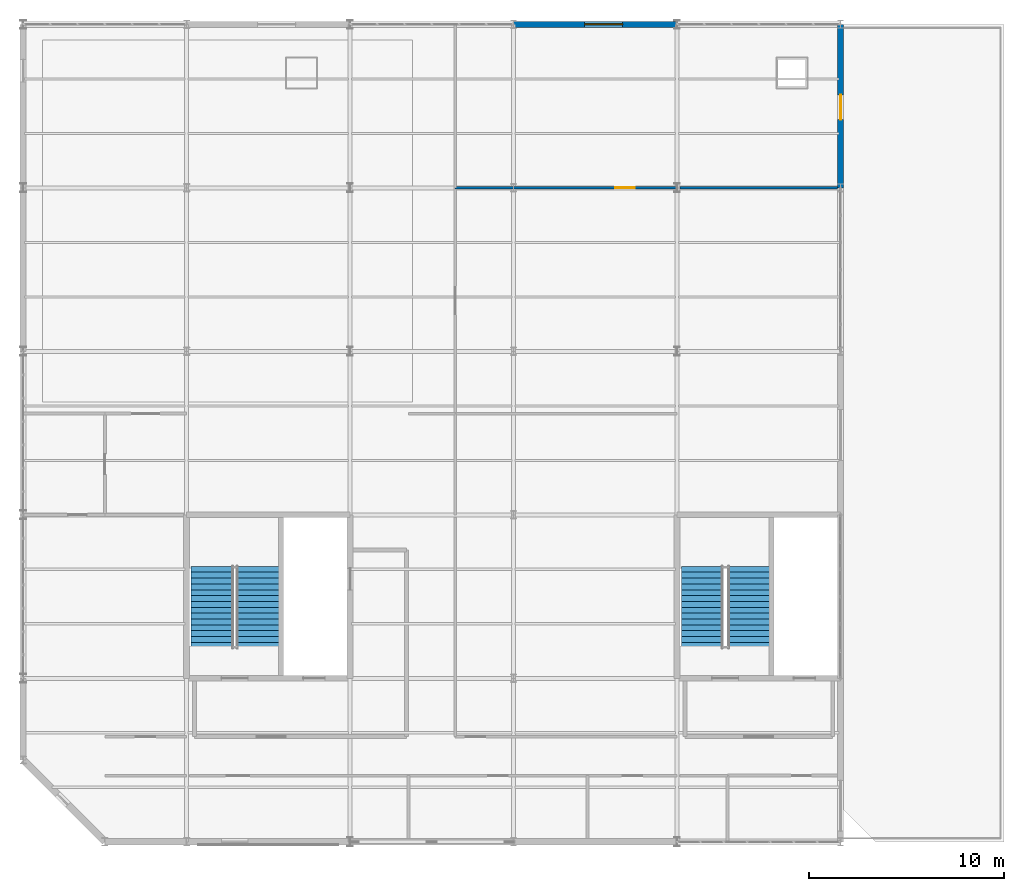
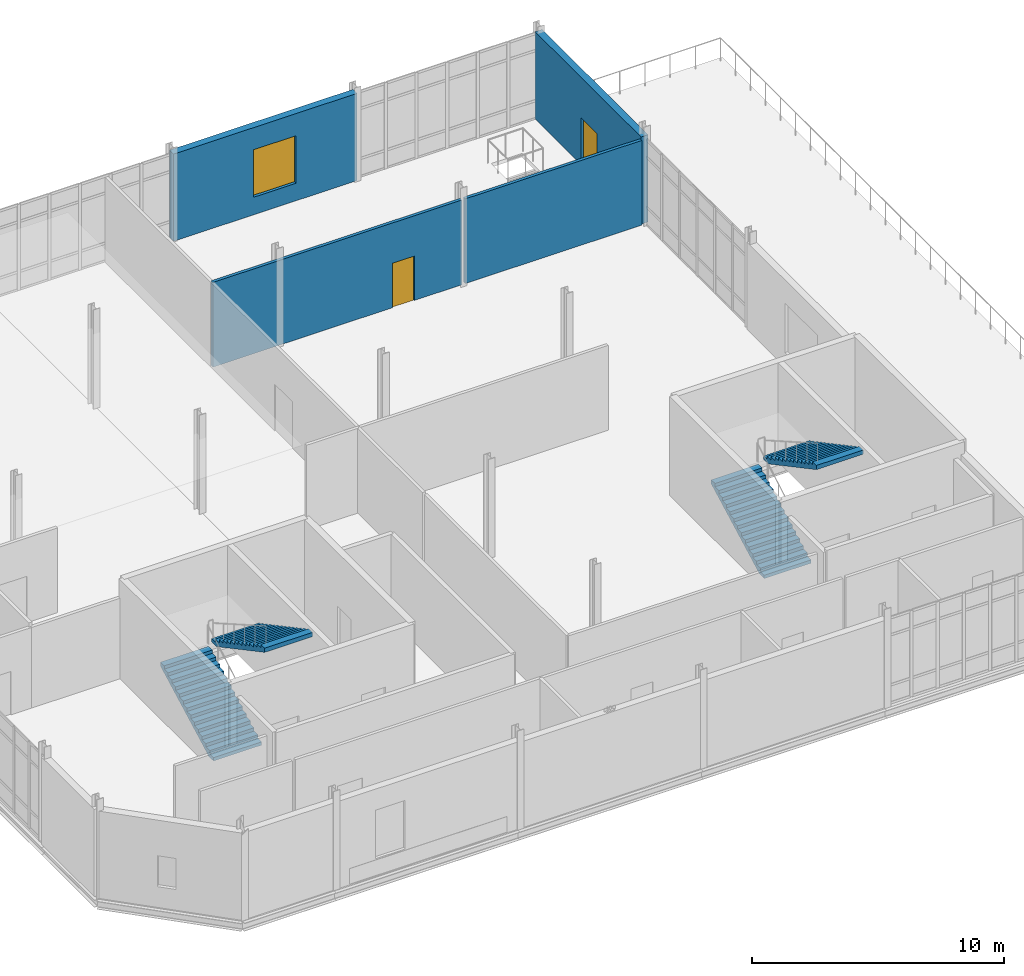
# One storey, part 25 of 28: 4 stair flights, 4 walls, 2 doors, 1 window, 3 openings, 2 elements without a shape of their own.
"""IFC4 building model written with IfcOpenShell, lengths in metres."""

from ifc_helpers import new_model, si_unit, direction, frame, frame_2d, origin, place, context, subcontext, project, spatial, polyline, rectangle, outline, extrude, material, layer, layer_set, type_object, element, fill, aggregate, save


model = new_model("IFC4")

# Units and contexts
model_context = context("Model", 3, precision=1e-05, world=origin(), true_north=direction((0.0, 1.0)))
body_context = subcontext(model_context, "Body", "Model", "MODEL_VIEW")
ifc_project = project(units=[si_unit("LENGTHUNIT", "METRE"), si_unit("AREAUNIT", "SQUARE_METRE"), si_unit("VOLUMEUNIT", "CUBIC_METRE"), si_unit("PLANEANGLEUNIT", "RADIAN"), si_unit("MASSUNIT", "GRAM", prefix="KILO")], contexts=[model_context])

# Site, building, storey
site_placement = place(None, origin())
site = spatial("IfcSite", under=ifc_project, at=site_placement, CompositionType="ELEMENT")
building_placement = place(site_placement, origin())
building = spatial("IfcBuilding", under=site, at=building_placement, Name="Qalvenar Corner Mobility Hub", CompositionType="ELEMENT")
storey_placement = place(building_placement, frame((0.0, 0.0, 21.60009765625)))
storey = spatial("IfcBuildingStorey", under=building, at=storey_placement, Name="L05", CompositionType="ELEMENT", Elevation=21.60009765625)

# Wall, opening, window
ifc_material_1 = material(Name="Red Sandstone Ashlar Masonry", Category="masonry")
ifc_layer_1 = layer(ifc_material_1, 0.320068359375)
ifc_layer_set_1 = layer_set([ifc_layer_1], Name="Red Sandstone Ashlar Masonry")
wall_type_1 = type_object("IfcWallType", Name="WL-EXT-SAND320", PredefinedType="STANDARD", material=ifc_layer_set_1)
wall_1_placement = place(storey_placement, frame((33.60009765625, 42.0, 0.0), z_axis=(0.0, 0.0, 1.0), x_axis=(-1.0, 0.0, 0.0)))
wall_1 = element("IfcWall", 1, at=wall_1_placement, inside=storey, type_object=wall_type_1, Name="Exterior Facade Wall EW-V3-L05-063", PredefinedType="STANDARD", context=body_context, shape_type="SweptSolid", body=[
    extrude(rectangle(XDim=8.400146484375, YDim=0.320068359375, at=frame_2d((4.2001953125, 0.0))), origin(), (0.0, 0.0, 1.0), 4.219970703125),
])
opening_1_placement = place(wall_1_placement, frame((2.800048828125, 0.0, 0.85009765625)))
opening_1 = element("IfcOpeningElement", 2, at=opening_1_placement, cuts=wall_1, Name="Opening W-29", PredefinedType="OPENING", context=body_context, shape_type="SweptSolid", body=[
    extrude(rectangle(XDim=1.949951171875, YDim=2.300048828125, at=frame_2d((0.97509765625, 1.14990234375))), frame((0.0, 0.169921875, 0.0), z_axis=(0.0, -1.0, 0.0), x_axis=(1.0, 0.0, 0.0)), (0.0, 0.0, 1.0), 0.340087890625),
])
ifc_material_2 = material(Name="Solar-Control Double-Glazed Bronze Window", Category="glass")
window_type = type_object("IfcWindowType", Name="WN-CIV-195X230", PartitioningType="DOUBLE_PANEL_VERTICAL", PredefinedType="WINDOW", material=ifc_material_2)
window_placement = place(opening_1_placement, origin())
window = element("IfcWindow", 3, at=window_placement, inside=storey, type_object=window_type, Name="Facade Window EW-V3-L05-063-W1", OverallHeight=2.300048828125, OverallWidth=1.949951171875, PartitioningType="SINGLE_PANEL", PredefinedType="WINDOW", context=body_context, shape_type="SweptSolid", body=[
    extrude(rectangle(XDim=1.949951171875, YDim=2.300048828125, at=frame_2d((0.97509765625, 1.14990234375))), frame((0.0, 0.030029296875, 0.0), z_axis=(0.0, -1.0, 0.0), x_axis=(1.0, 0.0, 0.0)), (0.0, 0.0, 1.0), 0.06005859375),
])
fill(opening_1, window)

# Wall, opening, door
wall_2_placement = place(storey_placement, frame((42.0, 33.60009765625, 0.0), z_axis=(0.0, 0.0, 1.0), x_axis=(0.0, 1.0, 0.0)))
wall_2 = element("IfcWall", 4, at=wall_2_placement, inside=storey, type_object=wall_type_1, Name="Exterior Facade Wall EW-V3-L05-066", PredefinedType="STANDARD", context=body_context, shape_type="SweptSolid", body=[
    extrude(rectangle(XDim=8.39990234375, YDim=0.320068359375, at=frame_2d((4.199951171875, 0.0))), origin(), (0.0, 0.0, 1.0), 4.219970703125),
])
opening_2_placement = place(wall_2_placement, frame((3.5, 0.0, 0.0)))
opening_2 = element("IfcOpeningElement", 5, at=opening_2_placement, cuts=wall_2, Name="Opening DR-254", PredefinedType="OPENING", context=body_context, shape_type="SweptSolid", body=[
    extrude(rectangle(XDim=1.280029296875, YDim=2.260009765625, at=frame_2d((0.64013671875, 1.1298828125))), frame((0.0, 0.169921875, 0.0), z_axis=(0.0, -1.0, 0.0), x_axis=(1.0, 0.0, 0.0)), (0.0, 0.0, 1.0), 0.340087890625),
])
ifc_material_3 = material(Name="Glazed Viewing Terrace Door", Category="aluminium")
door_type_1 = type_object("IfcDoorType", Name="DR-EXT-TER128", OperationType="DOUBLE_DOOR_SINGLE_SWING", PredefinedType="DOOR", material=ifc_material_3)
door_1_placement = place(opening_2_placement, origin())
door_1 = element("IfcDoor", 6, at=door_1_placement, inside=storey, type_object=door_type_1, Name="DR-254 East Terrace Access Door L05", OperationType="DOUBLE_DOOR_SINGLE_SWING", OverallHeight=2.260009765625, OverallWidth=1.280029296875, PredefinedType="DOOR", context=body_context, shape_type="SweptSolid", body=[
    extrude(rectangle(XDim=1.280029296875, YDim=2.260009765625, at=frame_2d((0.64013671875, 1.1298828125))), frame((0.0, 0.02490234375, 0.0), z_axis=(0.0, -1.0, 0.0), x_axis=(1.0, 0.0, 0.0)), (0.0, 0.0, 1.0), 0.050048828125),
])
fill(opening_2, door_1)

ifc_material_4 = material(Name="Acoustic Gypsum Stud Partition", Category="masonry")
ifc_layer_2 = layer(ifc_material_4, 0.139892578125)
ifc_layer_set_2 = layer_set([ifc_layer_2], Name="Acoustic Gypsum Stud Partition")
wall_type_2 = type_object("IfcWallType", Name="WL-INT140", PredefinedType="PARTITIONING", material=ifc_layer_set_2)
wall_3_placement = place(storey_placement, frame((22.199951171875, 33.60009765625, 0.0), z_axis=(0.0, 0.0, 1.0), x_axis=(1.0, 0.0, 0.0)))
wall_3 = element("IfcWall", 7, at=wall_3_placement, inside=storey, type_object=wall_type_2, Name="Interior Partition PRT-L05-015", PredefinedType="PARTITIONING", context=body_context, shape_type="SweptSolid", body=[
    extrude(rectangle(XDim=11.400146484375, YDim=0.139892578125, at=frame_2d((5.7001953125, 0.0))), origin(), (0.0, 0.0, 1.0), 4.099853515625),
])
opening_3_placement = place(wall_3_placement, frame((8.219970703125, 0.0, 0.0)))
opening_3 = element("IfcOpeningElement", 8, at=opening_3_placement, cuts=wall_3, Name="Opening DR-270", PredefinedType="OPENING", context=body_context, shape_type="SweptSolid", body=[
    extrude(rectangle(XDim=1.0, YDim=2.14990234375, at=frame_2d((0.5, 1.074951171875))), frame((0.0, 0.080078125, 0.0), z_axis=(0.0, -1.0, 0.0), x_axis=(1.0, 0.0, 0.0)), (0.0, 0.0, 1.0), 0.159912109375),
])
ifc_material_5 = material(Name="Hardwood Teak Office Door FD30", Category="wood")
door_type_2 = type_object("IfcDoorType", Name="DR-INT-OFF100", OperationType="NOTDEFINED", PredefinedType="DOOR", material=ifc_material_5)
door_2_placement = place(opening_3_placement, origin())
door_2 = element("IfcDoor", 9, at=door_2_placement, inside=storey, type_object=door_type_2, Name="DR-270 East Terrace Viewing Lounge L05 Door", OperationType="SINGLE_SWING_LEFT", OverallHeight=2.14990234375, OverallWidth=1.0, PredefinedType="DOOR", context=body_context, shape_type="SweptSolid", body=[
    extrude(rectangle(XDim=1.0, YDim=2.14990234375, at=frame_2d((0.5, 1.074951171875))), frame((0.0, 0.02490234375, 0.0), z_axis=(0.0, -1.0, 0.0), x_axis=(1.0, 0.0, 0.0)), (0.0, 0.0, 1.0), 0.050048828125),
])
fill(opening_3, door_2)

# Wall
wall_4_placement = place(storey_placement, frame((33.75, 33.60009765625, 0.0), z_axis=(0.0, 0.0, 1.0), x_axis=(1.0, 0.0, 0.0)))
element("IfcWall", 10, at=wall_4_placement, inside=storey, type_object=wall_type_2, Name="Interior Partition PRT-L05-016", PredefinedType="PARTITIONING", context=body_context, shape_type="SweptSolid", body=[
    extrude(rectangle(XDim=8.0849609375, YDim=0.139892578125, at=frame_2d((4.04248046875, 0.0))), origin(), (0.0, 0.0, 1.0), 4.099853515625),
])

# Stair, stair flights
ifc_material_6 = material(Name="Concrete C35/45", Category="concrete")
stair_type_1 = type_object("IfcStairType", Name="STR-200-H48", PredefinedType="TWO_QUARTER_TURN_STAIR", material=ifc_material_6)
stair_1_placement = place(storey_placement, origin())
stair_1 = element("IfcStair", 11, at=stair_1_placement, inside=storey, type_object=stair_type_1, Name="Exit Stair ST2 L05-L06", PredefinedType="TWO_QUARTER_TURN_STAIR")
stair_flight_type_1 = type_object("IfcStairFlightType", Name="SFL-200-R15", PredefinedType="STRAIGHT", material=ifc_material_6)
stair_flight_1_placement = place(storey_placement, frame((34.89501953125, 9.949951171875, 0.0), z_axis=(0.0, 0.0, 1.0), x_axis=(0.0, 1.0, 0.0)))
stair_flight_1 = element("IfcStairFlight", 12, at=stair_flight_1_placement, type_object=stair_flight_type_1, Name="ST2 flight 1", NumberOfRisers=15, NumberOfTreads=14, PredefinedType="STRAIGHT", RiserHeight=0.16, TreadLength=0.3, context=body_context, shape_type="SweptSolid", body=[
    extrude(outline(polyline([(0.0, 0.0), (0.0, 0.159912109375), (0.300048828125, 0.159912109375), (0.300048828125, 0.320068359375), (0.60009765625, 0.320068359375), (0.60009765625, 0.47998046875), (0.89990234375, 0.47998046875), (0.89990234375, 0.639892578125), (1.199951171875, 0.639892578125), (1.199951171875, 0.800048828125), (1.5, 0.800048828125), (1.5, 0.9599609375), (1.800048828125, 0.9599609375), (1.800048828125, 1.1201171875), (2.10009765625, 1.1201171875), (2.10009765625, 1.280029296875), (2.39990234375, 1.280029296875), (2.39990234375, 1.43994140625), (2.699951171875, 1.43994140625), (2.699951171875, 1.60009765625), (3.0, 1.60009765625), (3.0, 1.760009765625), (3.300048828125, 1.760009765625), (3.300048828125, 1.919921875), (3.60009765625, 1.919921875), (3.60009765625, 2.080078125), (3.89990234375, 2.080078125), (3.89990234375, 2.239990234375), (4.199951171875, 2.239990234375), (4.199951171875, 2.39990234375), (4.199951171875, 2.0361328125), (0.38232421875, 0.0), (0.0, 0.0)])), frame((0.0, 1.074951171875, 0.0), z_axis=(0.0, -1.0, 0.0), x_axis=(1.0, 0.0, 0.0)), (0.0, 0.0, 1.0), 2.14990234375),
])
stair_flight_2_placement = place(storey_placement, frame((37.284912109375, 14.14990234375, 2.39990234375), z_axis=(0.0, 0.0, 1.0), x_axis=(0.0, -1.0, 0.0)))
stair_flight_2 = element("IfcStairFlight", 13, at=stair_flight_2_placement, type_object=stair_flight_type_1, Name="ST2 flight 2", NumberOfRisers=15, NumberOfTreads=14, PredefinedType="STRAIGHT", RiserHeight=0.16, TreadLength=0.3, context=body_context, shape_type="SweptSolid", body=[
    extrude(outline(polyline([(0.0, 0.0), (0.0, 0.159912109375), (0.300048828125, 0.159912109375), (0.300048828125, 0.320068359375), (0.60009765625, 0.320068359375), (0.60009765625, 0.47998046875), (0.89990234375, 0.47998046875), (0.89990234375, 0.639892578125), (1.199951171875, 0.639892578125), (1.199951171875, 0.800048828125), (1.5, 0.800048828125), (1.5, 0.9599609375), (1.800048828125, 0.9599609375), (1.800048828125, 1.1201171875), (2.10009765625, 1.1201171875), (2.10009765625, 1.280029296875), (2.39990234375, 1.280029296875), (2.39990234375, 1.43994140625), (2.699951171875, 1.43994140625), (2.699951171875, 1.60009765625), (3.0, 1.60009765625), (3.0, 1.760009765625), (3.300048828125, 1.760009765625), (3.300048828125, 1.919921875), (3.60009765625, 1.919921875), (3.60009765625, 2.080078125), (3.89990234375, 2.080078125), (3.89990234375, 2.239990234375), (4.199951171875, 2.239990234375), (4.199951171875, 2.39990234375), (4.199951171875, 2.0361328125), (0.38232421875, 0.0), (0.0, 0.0)])), frame((0.0, 1.074951171875, 0.0), z_axis=(0.0, -1.0, 0.0), x_axis=(1.0, 0.0, 0.0)), (0.0, 0.0, 1.0), 2.14990234375),
])
aggregate(stair_1, [stair_flight_1, stair_flight_2])

stair_type_2 = type_object("IfcStairType", Name="STR-220-H48", PredefinedType="TWO_QUARTER_TURN_STAIR", material=ifc_material_6)
stair_2_placement = place(storey_placement, origin())
stair_2 = element("IfcStair", 14, at=stair_2_placement, inside=storey, type_object=stair_type_2, Name="Exit Stair ST1 L05-L06", PredefinedType="TWO_QUARTER_TURN_STAIR")
stair_flight_type_2 = type_object("IfcStairFlightType", Name="SFL-220-R15", PredefinedType="STRAIGHT", material=ifc_material_6)
stair_flight_3_placement = place(storey_placement, frame((9.719970703125, 9.949951171875, 0.0), z_axis=(0.0, 0.0, 1.0), x_axis=(0.0, 1.0, 0.0)))
stair_flight_3 = element("IfcStairFlight", 15, at=stair_flight_3_placement, type_object=stair_flight_type_2, Name="ST1 flight 1", NumberOfRisers=15, NumberOfTreads=14, PredefinedType="STRAIGHT", RiserHeight=0.16, TreadLength=0.3, context=body_context, shape_type="SweptSolid", body=[
    extrude(outline(polyline([(0.0, 0.0), (0.0, 0.159912109375), (0.300048828125, 0.159912109375), (0.300048828125, 0.320068359375), (0.60009765625, 0.320068359375), (0.60009765625, 0.47998046875), (0.89990234375, 0.47998046875), (0.89990234375, 0.639892578125), (1.199951171875, 0.639892578125), (1.199951171875, 0.800048828125), (1.5, 0.800048828125), (1.5, 0.9599609375), (1.800048828125, 0.9599609375), (1.800048828125, 1.1201171875), (2.10009765625, 1.1201171875), (2.10009765625, 1.280029296875), (2.39990234375, 1.280029296875), (2.39990234375, 1.43994140625), (2.699951171875, 1.43994140625), (2.699951171875, 1.60009765625), (3.0, 1.60009765625), (3.0, 1.760009765625), (3.300048828125, 1.760009765625), (3.300048828125, 1.919921875), (3.60009765625, 1.919921875), (3.60009765625, 2.080078125), (3.89990234375, 2.080078125), (3.89990234375, 2.239990234375), (4.199951171875, 2.239990234375), (4.199951171875, 2.39990234375), (4.199951171875, 2.0361328125), (0.38232421875, 0.0), (0.0, 0.0)])), frame((0.0, 1.10009765625, 0.0), z_axis=(0.0, -1.0, 0.0), x_axis=(1.0, 0.0, 0.0)), (0.0, 0.0, 1.0), 2.199951171875),
])
stair_flight_4_placement = place(storey_placement, frame((12.06005859375, 14.14990234375, 2.39990234375), z_axis=(0.0, 0.0, 1.0), x_axis=(0.0, -1.0, 0.0)))
stair_flight_4 = element("IfcStairFlight", 16, at=stair_flight_4_placement, type_object=stair_flight_type_2, Name="ST1 flight 2", NumberOfRisers=15, NumberOfTreads=14, PredefinedType="STRAIGHT", RiserHeight=0.16, TreadLength=0.3, context=body_context, shape_type="SweptSolid", body=[
    extrude(outline(polyline([(0.0, 0.0), (0.0, 0.159912109375), (0.300048828125, 0.159912109375), (0.300048828125, 0.320068359375), (0.60009765625, 0.320068359375), (0.60009765625, 0.47998046875), (0.89990234375, 0.47998046875), (0.89990234375, 0.639892578125), (1.199951171875, 0.639892578125), (1.199951171875, 0.800048828125), (1.5, 0.800048828125), (1.5, 0.9599609375), (1.800048828125, 0.9599609375), (1.800048828125, 1.1201171875), (2.10009765625, 1.1201171875), (2.10009765625, 1.280029296875), (2.39990234375, 1.280029296875), (2.39990234375, 1.43994140625), (2.699951171875, 1.43994140625), (2.699951171875, 1.60009765625), (3.0, 1.60009765625), (3.0, 1.760009765625), (3.300048828125, 1.760009765625), (3.300048828125, 1.919921875), (3.60009765625, 1.919921875), (3.60009765625, 2.080078125), (3.89990234375, 2.080078125), (3.89990234375, 2.239990234375), (4.199951171875, 2.239990234375), (4.199951171875, 2.39990234375), (4.199951171875, 2.0361328125), (0.38232421875, 0.0), (0.0, 0.0)])), frame((0.0, 1.10009765625, 0.0), z_axis=(0.0, -1.0, 0.0), x_axis=(1.0, 0.0, 0.0)), (0.0, 0.0, 1.0), 2.199951171875),
])
aggregate(stair_2, [stair_flight_3, stair_flight_4])

save(model, "model.ifc")
